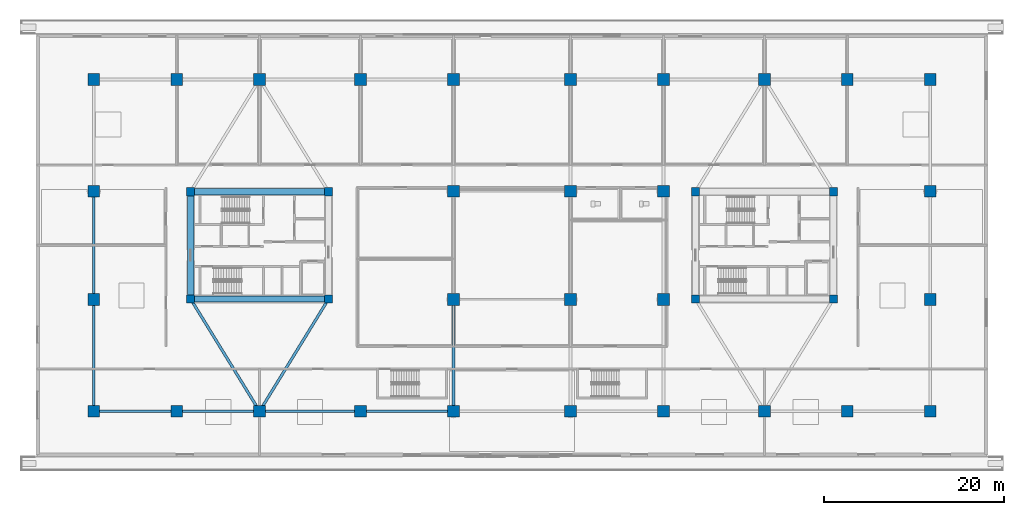
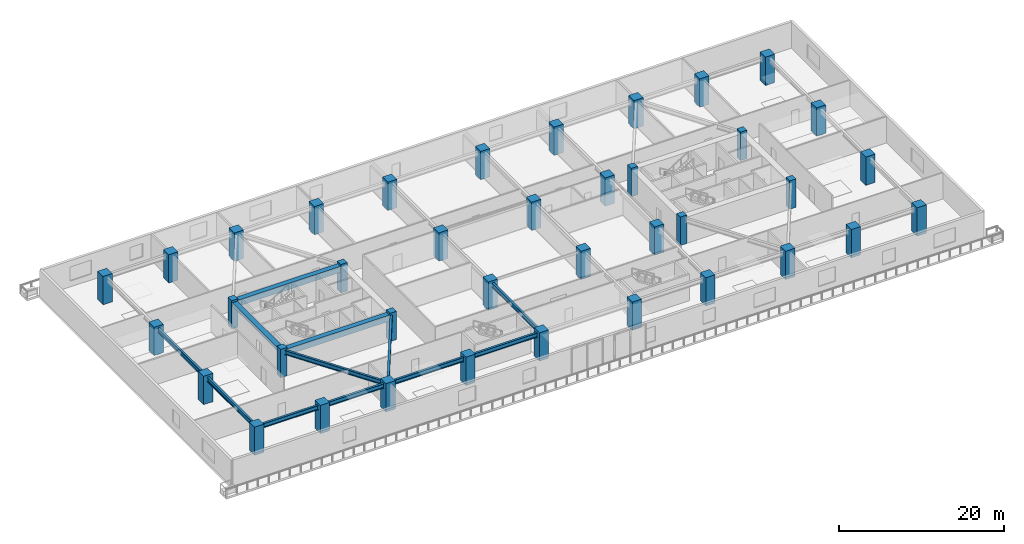
# One storey, part 1 of 22: 38 columns, 12 beams.
"""IFC4 building model written with IfcOpenShell, lengths in metres."""

import ifcopenshell
import ifcopenshell.guid

model = None  # the IFC model being written
_history = None  # IfcOwnerHistory: only IFC2X3 demands one
_inside = {}  # id of a spatial element -> (the spatial element, [elements in it])
_under = {}  # id of a project, library or spatial element -> (it, [spatial elements below it])
_declared = {}  # id of a project -> (the project, [libraries it declares])
_typed = {}  # id of a type object -> (the type object, [elements of that type])
_made_of = {}  # id of a material, layer set ... -> (it, [elements and type objects made of it])


def new_model(schema):
    """Start an empty IFC model of exactly this schema.

    Asked for "IFC4X3", IfcOpenShell would pick the latest addendum, in which some entities
    have other attributes; the version numbers below select the first issue.
    IFC2X3 requires an IfcOwnerHistory on every rooted entity: one is made here for all.
    """
    global model, _history
    if schema == "IFC4X3":
        model = ifcopenshell.file(schema_version=(4, 3, 0, 0))
    else:
        model = ifcopenshell.file(schema=schema)
    _inside.clear()
    _under.clear()
    _declared.clear()
    _typed.clear()
    _made_of.clear()
    _history = None
    if model.schema == "IFC2X3":
        org = make("IfcOrganization", Name="unknown")
        user = make(
            "IfcPersonAndOrganization",
            ThePerson=make("IfcPerson", FamilyName="unknown"),
            TheOrganization=org,
        )
        app = make(
            "IfcApplication",
            ApplicationDeveloper=org,
            Version="unknown",
            ApplicationFullName="unknown",
            ApplicationIdentifier="unknown",
        )
        _history = make(
            "IfcOwnerHistory",
            OwningUser=user,
            OwningApplication=app,
            ChangeAction="ADDED",
            CreationDate=0,
        )
    return model


def make(cls, **values):
    """One entity of the class cls with the attributes given. An attribute that is None is left unset."""
    return model.create_entity(
        cls, **{name: value for name, value in values.items() if value is not None}
    )


def rooted(cls, **values):
    """An entity with a GlobalId (a new one), such as an element, a storey or a relation."""
    return make(cls, GlobalId=ifcopenshell.guid.new(), OwnerHistory=_history, **values)


def si_unit(unit_type, name, prefix=None):
    """IfcSIUnit, for example si_unit("LENGTHUNIT", "METRE", prefix="MILLI")."""
    return make("IfcSIUnit", UnitType=unit_type, Prefix=prefix, Name=name)


def assignment(units):
    """IfcUnitAssignment: the units of a project."""
    return None if units is None else make("IfcUnitAssignment", Units=units)


def point(xyz):
    """IfcCartesianPoint."""
    return None if xyz is None else make("IfcCartesianPoint", Coordinates=xyz)


def direction(xyz):
    """IfcDirection."""
    return None if xyz is None else make("IfcDirection", DirectionRatios=xyz)


def frame(location, z_axis=None, x_axis=None):
    """IfcAxis2Placement3D, a coordinate frame: its origin and axes. An axis left out is left unset."""
    return make(
        "IfcAxis2Placement3D",
        Location=point(location),
        Axis=direction(z_axis),
        RefDirection=direction(x_axis),
    )


def frame_2d(location, x_axis=None):
    """IfcAxis2Placement2D, a coordinate frame in the plane: its origin and x axis."""
    return make(
        "IfcAxis2Placement2D", Location=point(location), RefDirection=direction(x_axis)
    )


def origin():
    """The frame at (0, 0, 0) with its axes left unset."""
    return frame((0.0, 0.0, 0.0))


def origin_2d():
    """The frame at (0, 0) in the plane with its x axis left unset."""
    return frame_2d((0.0, 0.0))


def place(relative_to, where):
    """IfcLocalPlacement: puts the frame where relative to a parent placement (None: the world)."""
    return make(
        "IfcLocalPlacement", PlacementRelTo=relative_to, RelativePlacement=where
    )


def context(
    kind, dimensions, precision=None, world=None, true_north=None, identifier=None
):
    """IfcGeometricRepresentationContext, for example the 3D "Model" context."""
    return make(
        "IfcGeometricRepresentationContext",
        ContextIdentifier=identifier,
        ContextType=kind,
        CoordinateSpaceDimension=dimensions,
        Precision=precision,
        WorldCoordinateSystem=world,
        TrueNorth=true_north,
    )


def subcontext(parent, identifier, kind, view, scale=None):
    """IfcGeometricRepresentationSubContext, for example "Body" below "Model"."""
    return make(
        "IfcGeometricRepresentationSubContext",
        ContextIdentifier=identifier,
        ContextType=kind,
        ParentContext=parent,
        TargetScale=scale,
        TargetView=view,
    )


def project(units=None, contexts=None):
    """IfcProject with its units and contexts."""
    return rooted(
        "IfcProject",
        Name="project",
        RepresentationContexts=contexts,
        UnitsInContext=assignment(units),
    )


def spatial(cls, under=None, at=None, **own):
    """A site, building, storey or space (cls), placed at a placement, below another one or the project."""
    s = rooted(cls, ObjectPlacement=at, **own)
    if under is not None:
        _under.setdefault(under.id(), (under, []))[1].append(s)
    return s


def profile(cls, at=None, kind="AREA", **sizes):
    """A parametric profile (cls). Its sizes go by their IFC names, for example OverallWidth=200.0."""
    return make(cls, ProfileType=kind, Position=at, **sizes)


def rectangle(**sizes):
    """IfcRectangleProfileDef."""
    return profile("IfcRectangleProfileDef", **sizes)


def i_section(**sizes):
    """IfcIShapeProfileDef."""
    return profile("IfcIShapeProfileDef", **sizes)


def extrude(swept, where, along, depth):
    """IfcExtrudedAreaSolid: the profile swept, set in the frame where, extruded along a direction by depth."""
    return make(
        "IfcExtrudedAreaSolid",
        SweptArea=swept,
        Position=where,
        ExtrudedDirection=direction(along),
        Depth=depth,
    )


def shape(context_of_items, identifier, shape_type, items):
    """IfcShapeRepresentation: the items that make up one representation, for example the "Body"."""
    return make(
        "IfcShapeRepresentation",
        ContextOfItems=context_of_items,
        RepresentationIdentifier=identifier,
        RepresentationType=shape_type,
        Items=items,
    )


def source(mapping_origin, context_of_items, identifier, shape_type, items):
    """IfcRepresentationMap: a shape defined once, which mapped items show again and again."""
    return make(
        "IfcRepresentationMap",
        MappingOrigin=mapping_origin,
        MappedRepresentation=shape(context_of_items, identifier, shape_type, items),
    )


def transform(
    local_origin,
    x_axis=None,
    y_axis=None,
    z_axis=None,
    scale=None,
    scale2=None,
    scale3=None,
    uniform=True,
):
    """IfcCartesianTransformationOperator3D, or its non-uniform kind. x_axis, y_axis, z_axis: its Axis1, 2, 3."""
    if uniform:
        return make(
            "IfcCartesianTransformationOperator3D",
            Axis1=direction(x_axis),
            Axis2=direction(y_axis),
            LocalOrigin=point(local_origin),
            Scale=scale,
            Axis3=direction(z_axis),
        )
    return make(
        "IfcCartesianTransformationOperator3DnonUniform",
        Axis1=direction(x_axis),
        Axis2=direction(y_axis),
        LocalOrigin=point(local_origin),
        Scale=scale,
        Axis3=direction(z_axis),
        Scale2=scale2,
        Scale3=scale3,
    )


def mapped(mapping_source, mapping_target):
    """IfcMappedItem: shows the shape of a source again, moved by a transform."""
    return make(
        "IfcMappedItem", MappingSource=mapping_source, MappingTarget=mapping_target
    )


def material(Name=None, Category=None):
    """IfcMaterial."""
    return make("IfcMaterial", Name=Name, Category=Category)


def material_profile(
    of_material, cross_section, Name=None, Category=None, Priority=None
):
    """IfcMaterialProfile: a cross section and its material."""
    return make(
        "IfcMaterialProfile",
        Name=Name,
        Material=of_material,
        Profile=cross_section,
        Priority=Priority,
        Category=Category,
    )


def profile_set(profiles, Name=None, composite=None):
    """IfcMaterialProfileSet."""
    return make(
        "IfcMaterialProfileSet",
        Name=Name,
        MaterialProfiles=profiles,
        CompositeProfile=composite,
    )


def made_of(thing, what):
    """Note that an element or type object is made of a material, layer set ...; save() writes the relation."""
    if what is not None:
        _made_of.setdefault(what.id(), (what, []))[1].append(thing)
    return thing


def type_object(cls, material=None, **own):
    """A type object (cls), such as IfcWallType, which elements share."""
    return made_of(rooted(cls, **own), material)


def type_shapes(of_type, sources):
    """Give a type object the sources (RepresentationMaps) that its elements show as mapped items."""
    of_type.RepresentationMaps = sources


def element(
    cls,
    number,
    at=None,
    inside=None,
    cuts=None,
    type_object=None,
    material=None,
    context=None,
    identifier="Body",
    shape_type=None,
    held_by="IfcProductDefinitionShape",
    body=None,
    shapes=None,
    **own,
):
    """One element of the class cls, such as IfcWall. Its Tag is "e" and its number.

    at: its placement. inside: the storey or other place that contains it. cuts: it is an
    opening in that element (IfcRelVoidsElement). A single representation is given by context,
    identifier, shape_type and body (its items); several are given by shapes. held_by: the class
    of the entity that holds the representations. save() writes the other relations.
    """
    e = rooted(cls, Tag="e%d" % number, ObjectPlacement=at, **own)
    if body is not None:
        shapes = [shape(context, identifier, shape_type, body)]
    if shapes is not None:
        e.Representation = make(held_by, Representations=shapes)
    if inside is not None:
        _inside.setdefault(inside.id(), (inside, []))[1].append(e)
    if cuts is not None:
        rooted(
            "IfcRelVoidsElement", RelatingBuildingElement=cuts, RelatedOpeningElement=e
        )
    if type_object is not None:
        _typed.setdefault(type_object.id(), (type_object, []))[1].append(e)
    return made_of(e, material)


def aggregate(whole, parts):
    """IfcRelAggregates: a whole, such as a stair, and the parts it consists of."""
    return rooted("IfcRelAggregates", RelatingObject=whole, RelatedObjects=parts)


def save(model, path):
    """Write the relations noted so far, then the file.

    IfcRelAggregates (storeys below a building ...), IfcRelContainedInSpatialStructure (elements
    in a storey), IfcRelDefinesByType, IfcRelAssociatesMaterial and IfcRelDeclares: one each for
    every whole, place, type object, material and project.
    """
    for whole, parts in _under.values():
        aggregate(whole, parts)
    for where, things in _inside.values():
        rooted(
            "IfcRelContainedInSpatialStructure",
            RelatedElements=things,
            RelatingStructure=where,
        )
    for kind, things in _typed.values():
        rooted("IfcRelDefinesByType", RelatedObjects=things, RelatingType=kind)
    for what, things in _made_of.values():
        rooted("IfcRelAssociatesMaterial", RelatedObjects=things, RelatingMaterial=what)
    for by, libraries in _declared.values():
        rooted("IfcRelDeclares", RelatingContext=by, RelatedDefinitions=libraries)
    model.write(path)


model = new_model("IFC4")

# Units and contexts
model_context = context("Model", 3, precision=1e-05, world=origin(), true_north=direction((0.0, 1.0)))
body_context = subcontext(model_context, "Body", "Model", "MODEL_VIEW")
ifc_project = project(units=[si_unit("LENGTHUNIT", "METRE"), si_unit("AREAUNIT", "SQUARE_METRE"), si_unit("VOLUMEUNIT", "CUBIC_METRE"), si_unit("PLANEANGLEUNIT", "RADIAN"), si_unit("MASSUNIT", "GRAM", prefix="KILO")], contexts=[model_context])

# Site, building, storey
site_placement = place(None, origin())
site = spatial("IfcSite", under=ifc_project, at=site_placement, CompositionType="ELEMENT")
building_placement = place(site_placement, origin())
building = spatial("IfcBuilding", under=site, at=building_placement, Name="Norrkilde Senior Care Towers", CompositionType="ELEMENT")
storey_placement = place(building_placement, frame((0.0, 0.0, 4.199951171875)))
storey = spatial("IfcBuildingStorey", under=building, at=storey_placement, Name="L01", CompositionType="ELEMENT", Elevation=4.199951171875)

# Columns
ifc_material_1 = material(Name="Concrete C60/75", Category="concrete")
ifc_material_profile_1 = material_profile(ifc_material_1, rectangle(XDim=0.89990234375, YDim=0.89990234375, at=origin_2d()), Name="RC COL 900x900")
ifc_profile_set_1 = profile_set([ifc_material_profile_1], Name="Concrete C60/75")
column_type_1 = type_object("IfcColumnType", Name="Column Core Corner Z1-Z2 900", PredefinedType="COLUMN", material=ifc_profile_set_1)
shared_shape_1 = source(origin(), body_context, "Body", "SweptSolid", [
    extrude(rectangle(XDim=0.89990234375, YDim=0.89990234375, at=origin_2d()), origin(), (0.0, 0.0, 1.0), 4.199951171875),
])
type_shapes(column_type_1, [shared_shape_1])
for number, where, z_axis, x_axis, name in (
    (1, (-35.64990234375, -5.949951171875, 0.0), (0.0, 0.0, 1.0), (1.0, 0.0, 0.0), "L01 Core W Corner Column 1"),
    (2, (-20.35009765625, -5.949951171875, 0.0), (0.0, 0.0, 1.0), (1.0, 0.0, 0.0), "L01 Core W Corner Column 2"),
    (3, (-20.35009765625, 5.949951171875, 0.0), (0.0, 0.0, 1.0), (1.0, 0.0, 0.0), "L01 Core W Corner Column 3"),
    (4, (-35.64990234375, 5.949951171875, 0.0), (0.0, 0.0, 1.0), (1.0, 0.0, 0.0), "L01 Core W Corner Column 4"),
    (5, (20.35009765625, -5.949951171875, 0.0), (0.0, 0.0, 1.0), (1.0, 0.0, 0.0), "L01 Core E Corner Column 1"),
    (6, (35.64990234375, -5.949951171875, 0.0), (0.0, 0.0, 1.0), (1.0, 0.0, 0.0), "L01 Core E Corner Column 2"),
    (7, (35.64990234375, 5.949951171875, 0.0), (0.0, 0.0, 1.0), (1.0, 0.0, 0.0), "L01 Core E Corner Column 3"),
    (8, (20.35009765625, 5.949951171875, 0.0), (0.0, 0.0, 1.0), (1.0, 0.0, 0.0), "L01 Core E Corner Column 4"),
):
    element("IfcColumn", number, at=place(storey_placement, frame(where, z_axis=z_axis, x_axis=x_axis)), inside=storey, type_object=column_type_1, Name=name, PredefinedType="COLUMN", context=body_context, shape_type="MappedRepresentation", body=[
        mapped(shared_shape_1, transform((0.0, 0.0, 0.0), x_axis=(1.0, 0.0, 0.0), y_axis=(0.0, 1.0, 0.0), z_axis=(0.0, 0.0, 1.0), scale=1.0)),
    ])
ifc_material_profile_2 = material_profile(ifc_material_1, rectangle(XDim=1.300048828125, YDim=1.300048828125, at=origin_2d()), Name="RC COL 1300x1300")
ifc_profile_set_2 = profile_set([ifc_material_profile_2], Name="Concrete C60/75")
column_type_2 = type_object("IfcColumnType", Name="Column Mega Podium 1300", PredefinedType="COLUMN", material=ifc_profile_set_2)
shared_shape_2 = source(origin(), body_context, "Body", "SweptSolid", [
    extrude(rectangle(XDim=1.300048828125, YDim=1.300048828125, at=origin_2d()), origin(), (0.0, 0.0, 1.0), 4.199951171875),
])
type_shapes(column_type_2, [shared_shape_2])
for number, where, z_axis, x_axis, name in (
    (9, (-46.39990234375, -18.39990234375, 0.0), (0.0, 0.0, 1.0), (1.0, 0.0, 0.0), "L01 Podium Mega Column 01"),
    (10, (-37.199951171875, -18.39990234375, 0.0), (0.0, 0.0, 1.0), (1.0, 0.0, 0.0), "L01 Podium Mega Column 02"),
    (11, (-28.0, -18.39990234375, 0.0), (0.0, 0.0, 1.0), (1.0, 0.0, 0.0), "L01 Podium Mega Column 03"),
    (12, (-16.800048828125, -18.39990234375, 0.0), (0.0, 0.0, 1.0), (1.0, 0.0, 0.0), "L01 Podium Mega Column 04"),
    (13, (-6.5, -18.39990234375, 0.0), (0.0, 0.0, 1.0), (1.0, 0.0, 0.0), "L01 Podium Mega Column 05"),
    (14, (6.5, -18.39990234375, 0.0), (0.0, 0.0, 1.0), (1.0, 0.0, 0.0), "L01 Podium Mega Column 06"),
    (15, (16.800048828125, -18.39990234375, 0.0), (0.0, 0.0, 1.0), (1.0, 0.0, 0.0), "L01 Podium Mega Column 07"),
    (16, (28.0, -18.39990234375, 0.0), (0.0, 0.0, 1.0), (1.0, 0.0, 0.0), "L01 Podium Mega Column 08"),
    (17, (37.199951171875, -18.39990234375, 0.0), (0.0, 0.0, 1.0), (1.0, 0.0, 0.0), "L01 Podium Mega Column 09"),
    (18, (46.39990234375, -18.39990234375, 0.0), (0.0, 0.0, 1.0), (1.0, 0.0, 0.0), "L01 Podium Mega Column 10"),
    (19, (-46.39990234375, 18.39990234375, 0.0), (0.0, 0.0, 1.0), (1.0, 0.0, 0.0), "L01 Podium Mega Column 11"),
    (20, (-37.199951171875, 18.39990234375, 0.0), (0.0, 0.0, 1.0), (1.0, 0.0, 0.0), "L01 Podium Mega Column 12"),
    (21, (-28.0, 18.39990234375, 0.0), (0.0, 0.0, 1.0), (1.0, 0.0, 0.0), "L01 Podium Mega Column 13"),
    (22, (-16.800048828125, 18.39990234375, 0.0), (0.0, 0.0, 1.0), (1.0, 0.0, 0.0), "L01 Podium Mega Column 14"),
    (23, (-6.5, 18.39990234375, 0.0), (0.0, 0.0, 1.0), (1.0, 0.0, 0.0), "L01 Podium Mega Column 15"),
    (24, (6.5, 18.39990234375, 0.0), (0.0, 0.0, 1.0), (1.0, 0.0, 0.0), "L01 Podium Mega Column 16"),
    (25, (16.800048828125, 18.39990234375, 0.0), (0.0, 0.0, 1.0), (1.0, 0.0, 0.0), "L01 Podium Mega Column 17"),
    (26, (28.0, 18.39990234375, 0.0), (0.0, 0.0, 1.0), (1.0, 0.0, 0.0), "L01 Podium Mega Column 18"),
    (27, (37.199951171875, 18.39990234375, 0.0), (0.0, 0.0, 1.0), (1.0, 0.0, 0.0), "L01 Podium Mega Column 19"),
    (28, (46.39990234375, 18.39990234375, 0.0), (0.0, 0.0, 1.0), (1.0, 0.0, 0.0), "L01 Podium Mega Column 20"),
    (29, (-46.39990234375, -6.0, 0.0), (0.0, 0.0, 1.0), (1.0, 0.0, 0.0), "L01 Podium Mega Column 21"),
    (30, (-46.39990234375, 6.0, 0.0), (0.0, 0.0, 1.0), (1.0, 0.0, 0.0), "L01 Podium Mega Column 22"),
    (31, (-6.5, -6.0, 0.0), (0.0, 0.0, 1.0), (1.0, 0.0, 0.0), "L01 Podium Mega Column 23"),
    (32, (-6.5, 6.0, 0.0), (0.0, 0.0, 1.0), (1.0, 0.0, 0.0), "L01 Podium Mega Column 24"),
    (33, (6.5, -6.0, 0.0), (0.0, 0.0, 1.0), (1.0, 0.0, 0.0), "L01 Podium Mega Column 25"),
    (34, (6.5, 6.0, 0.0), (0.0, 0.0, 1.0), (1.0, 0.0, 0.0), "L01 Podium Mega Column 26"),
    (35, (16.800048828125, -6.0, 0.0), (0.0, 0.0, 1.0), (1.0, 0.0, 0.0), "L01 Podium Mega Column 27"),
    (36, (16.800048828125, 6.0, 0.0), (0.0, 0.0, 1.0), (1.0, 0.0, 0.0), "L01 Podium Mega Column 28"),
    (37, (46.39990234375, -6.0, 0.0), (0.0, 0.0, 1.0), (1.0, 0.0, 0.0), "L01 Podium Mega Column 29"),
    (38, (46.39990234375, 6.0, 0.0), (0.0, 0.0, 1.0), (1.0, 0.0, 0.0), "L01 Podium Mega Column 30"),
):
    element("IfcColumn", number, at=place(storey_placement, frame(where, z_axis=z_axis, x_axis=x_axis)), inside=storey, type_object=column_type_2, Name=name, PredefinedType="COLUMN", context=body_context, shape_type="MappedRepresentation", body=[
        mapped(shared_shape_2, transform((0.0, 0.0, 0.0), x_axis=(1.0, 0.0, 0.0), y_axis=(0.0, 1.0, 0.0), z_axis=(0.0, 0.0, 1.0), scale=1.0)),
    ])

# Beams
ifc_material_profile_3 = material_profile(ifc_material_1, rectangle(XDim=0.699951171875, YDim=0.89990234375, at=origin_2d()), Name="RC BM 700x900")
ifc_profile_set_3 = profile_set([ifc_material_profile_3], Name="Concrete C60/75")
beam_type_1 = type_object("IfcBeamType", Name="Core Coupling Girder 700x900", PredefinedType="USERDEFINED", material=ifc_profile_set_3)
shared_shape_3 = source(origin(), body_context, "Body", "SweptSolid", [
    extrude(rectangle(XDim=0.699951171875, YDim=0.89990234375, at=origin_2d()), origin(), (0.0, 0.0, 1.0), 14.43994140625),
])
type_shapes(beam_type_1, [shared_shape_3])
for number, where, z_axis, x_axis, name in (
    (39, (-35.219970703125, 5.949951171875, 3.429931640625), (1.0, 0.0, 0.0), (0.0, 1.0, 0.0), "L01 Core W N Coupling Girder"),
    (40, (-35.219970703125, -5.949951171875, 3.429931640625), (1.0, 0.0, 0.0), (0.0, 1.0, 0.0), "L01 Core W S Coupling Girder"),
):
    element("IfcBeam", number, at=place(storey_placement, frame(where, z_axis=z_axis, x_axis=x_axis)), inside=storey, type_object=beam_type_1, Name=name, ObjectType="GIRDER", PredefinedType="USERDEFINED", context=body_context, shape_type="MappedRepresentation", body=[
        mapped(shared_shape_3, transform((0.0, 0.0, 0.0), x_axis=(1.0, 0.0, 0.0), y_axis=(0.0, 1.0, 0.0), z_axis=(0.0, 0.0, 1.0), scale=1.0)),
    ])
ifc_material_profile_4 = material_profile(ifc_material_1, rectangle(XDim=0.699951171875, YDim=0.550048828125, at=origin_2d()), Name="RC BM 700x550")
ifc_profile_set_4 = profile_set([ifc_material_profile_4], Name="Concrete C60/75")
beam_type_2 = type_object("IfcBeamType", Name="Core Portal Coupling Beam 700x550", PredefinedType="USERDEFINED", material=ifc_profile_set_4)
shared_shape_4 = source(origin(), body_context, "Body", "SweptSolid", [
    extrude(rectangle(XDim=0.699951171875, YDim=0.550048828125, at=origin_2d()), origin(), (0.0, 0.0, 1.0), 11.0400390625),
])
type_shapes(beam_type_2, [shared_shape_4])
beam_1_placement = place(storey_placement, frame((-35.64990234375, -5.52001953125, 3.60498046875), z_axis=(0.0, 1.0, 0.0), x_axis=(-1.0, 0.0, 0.0)))
element("IfcBeam", 41, at=beam_1_placement, inside=storey, type_object=beam_type_2, Name="L01 Core W W Coupling Girder", ObjectType="GIRDER", PredefinedType="USERDEFINED", context=body_context, shape_type="MappedRepresentation", body=[
    mapped(shared_shape_4, transform((0.0, 0.0, 0.0), x_axis=(1.0, 0.0, 0.0), y_axis=(0.0, 1.0, 0.0), z_axis=(0.0, 0.0, 1.0), scale=1.0)),
])
ifc_material_2 = material(Name="Steel S355", Category="steel")
ifc_material_profile_5 = material_profile(ifc_material_2, i_section(OverallWidth=0.300048828125, OverallDepth=0.64990234375, WebThickness=0.01611328125, FlangeThickness=0.031005859375, FilletRadius=0.027099609375, at=origin_2d()), Name="HEB 650")
ifc_profile_set_5 = profile_set([ifc_material_profile_5], Name="Steel S355")
beam_type_3 = type_object("IfcBeamType", Name="Podium Primary Beam HEB650", PredefinedType="BEAM", material=ifc_profile_set_5)
shared_shape_5 = source(origin(), body_context, "Body", "SweptSolid", [
    extrude(i_section(OverallWidth=0.300048828125, OverallDepth=0.64990234375, WebThickness=0.01611328125, FlangeThickness=0.031005859375, FilletRadius=0.027099609375, at=origin_2d()), origin(), (0.0, 0.0, 1.0), 8.300048828125),
])
for number, where, z_axis, x_axis, name in (
    (42, (-45.949951171875, -18.39990234375, 3.554931640625), (1.0, 0.0, 0.0), (0.0, 1.0, 0.0), "L01 Podium E-W Frame Beam 1.1"),
    (43, (-36.75, -18.39990234375, 3.554931640625), (1.0, 0.0, 0.0), (0.0, 1.0, 0.0), "L01 Podium E-W Frame Beam 1.2"),
):
    element("IfcBeam", number, at=place(storey_placement, frame(where, z_axis=z_axis, x_axis=x_axis)), inside=storey, type_object=beam_type_3, Name=name, PredefinedType="BEAM", context=body_context, shape_type="MappedRepresentation", body=[
        mapped(shared_shape_5, transform((0.0, 0.0, 0.0), x_axis=(1.0, 0.0, 0.0), y_axis=(0.0, 1.0, 0.0), z_axis=(0.0, 0.0, 1.0), scale=1.0)),
    ])
shared_shape_6 = source(origin(), body_context, "Body", "SweptSolid", [
    extrude(i_section(OverallWidth=0.300048828125, OverallDepth=0.64990234375, WebThickness=0.01611328125, FlangeThickness=0.031005859375, FilletRadius=0.027099609375, at=origin_2d()), origin(), (0.0, 0.0, 1.0), 10.300048828125),
])
beam_2_placement = place(storey_placement, frame((-27.550048828125, -18.39990234375, 3.554931640625), z_axis=(1.0, 0.0, 0.0), x_axis=(0.0, 1.0, 0.0)))
element("IfcBeam", 44, at=beam_2_placement, inside=storey, type_object=beam_type_3, Name="L01 Podium E-W Frame Beam 1.3", PredefinedType="BEAM", context=body_context, shape_type="MappedRepresentation", body=[
    mapped(shared_shape_6, transform((0.0, 0.0, 0.0), x_axis=(1.0, 0.0, 0.0), y_axis=(0.0, 1.0, 0.0), z_axis=(0.0, 0.0, 1.0), scale=1.0)),
])
shared_shape_7 = source(origin(), body_context, "Body", "SweptSolid", [
    extrude(i_section(OverallWidth=0.300048828125, OverallDepth=0.64990234375, WebThickness=0.01611328125, FlangeThickness=0.031005859375, FilletRadius=0.027099609375, at=origin_2d()), origin(), (0.0, 0.0, 1.0), 9.400146484375),
])
beam_3_placement = place(storey_placement, frame((-16.35009765625, -18.39990234375, 3.554931640625), z_axis=(1.0, 0.0, 0.0), x_axis=(0.0, 1.0, 0.0)))
element("IfcBeam", 45, at=beam_3_placement, inside=storey, type_object=beam_type_3, Name="L01 Podium E-W Frame Beam 1.4", PredefinedType="BEAM", context=body_context, shape_type="MappedRepresentation", body=[
    mapped(shared_shape_7, transform((0.0, 0.0, 0.0), x_axis=(1.0, 0.0, 0.0), y_axis=(0.0, 1.0, 0.0), z_axis=(0.0, 0.0, 1.0), scale=1.0)),
])
shared_shape_8 = source(origin(), body_context, "Body", "SweptSolid", [
    extrude(i_section(OverallWidth=0.300048828125, OverallDepth=0.64990234375, WebThickness=0.01611328125, FlangeThickness=0.031005859375, FilletRadius=0.027099609375, at=origin_2d()), origin(), (0.0, 0.0, 1.0), 11.5),
])
for number, where, z_axis, x_axis, name in (
    (46, (-46.39990234375, -17.949951171875, 3.554931640625), (0.0, 1.0, 0.0), (-1.0, 0.0, 0.0), "L01 Podium N-S Frame Beam 1.1"),
    (47, (-6.5, -17.949951171875, 3.554931640625), (0.0, 1.0, 0.0), (-1.0, 0.0, 0.0), "L01 Podium N-S Frame Beam 2.1"),
):
    element("IfcBeam", number, at=place(storey_placement, frame(where, z_axis=z_axis, x_axis=x_axis)), inside=storey, type_object=beam_type_3, Name=name, PredefinedType="BEAM", context=body_context, shape_type="MappedRepresentation", body=[
        mapped(shared_shape_8, transform((0.0, 0.0, 0.0), x_axis=(1.0, 0.0, 0.0), y_axis=(0.0, 1.0, 0.0), z_axis=(0.0, 0.0, 1.0), scale=1.0)),
    ])
shared_shape_9 = source(origin(), body_context, "Body", "SweptSolid", [
    extrude(i_section(OverallWidth=0.300048828125, OverallDepth=0.64990234375, WebThickness=0.01611328125, FlangeThickness=0.031005859375, FilletRadius=0.027099609375, at=origin_2d()), origin(), (0.0, 0.0, 1.0), 11.10009765625),
])
beam_4_placement = place(storey_placement, frame((-46.39990234375, -5.550048828125, 3.554931640625), z_axis=(0.0, 1.0, 0.0), x_axis=(-1.0, 0.0, 0.0)))
element("IfcBeam", 48, at=beam_4_placement, inside=storey, type_object=beam_type_3, Name="L01 Podium N-S Frame Beam 1.2", PredefinedType="BEAM", context=body_context, shape_type="MappedRepresentation", body=[
    mapped(shared_shape_9, transform((0.0, 0.0, 0.0), x_axis=(1.0, 0.0, 0.0), y_axis=(0.0, 1.0, 0.0), z_axis=(0.0, 0.0, 1.0), scale=1.0)),
])
shared_shape_10 = source(origin(), body_context, "Body", "SweptSolid", [
    extrude(i_section(OverallWidth=0.300048828125, OverallDepth=0.64990234375, WebThickness=0.01611328125, FlangeThickness=0.031005859375, FilletRadius=0.027099609375, at=origin_2d()), origin(), (0.0, 0.0, 1.0), 13.742431640625),
])
type_shapes(beam_type_3, [shared_shape_5, shared_shape_6, shared_shape_7, shared_shape_8, shared_shape_9, shared_shape_10])
for number, where, z_axis, x_axis, name in (
    (49, (-28.235595703125, -18.0166015625, 3.554931640625), (-0.523527368138, 0.852008858411, 0.0), (-0.852008858411, -0.523527368138, 0.0), "L01 Core W Tie Beam 1"),
    (50, (-27.764404296875, -18.0166015625, 3.554931640625), (0.523527368138, 0.852008858411, 0.0), (-0.852008858411, 0.523527368138, 0.0), "L01 Core W Tie Beam 2"),
):
    element("IfcBeam", number, at=place(storey_placement, frame(where, z_axis=z_axis, x_axis=x_axis)), inside=storey, type_object=beam_type_3, Name=name, PredefinedType="BEAM", context=body_context, shape_type="MappedRepresentation", body=[
        mapped(shared_shape_10, transform((0.0, 0.0, 0.0), x_axis=(1.0, 0.0, 0.0), y_axis=(0.0, 1.0, 0.0), z_axis=(0.0, 0.0, 1.0), scale=1.0)),
    ])

save(model, "model.ifc")
